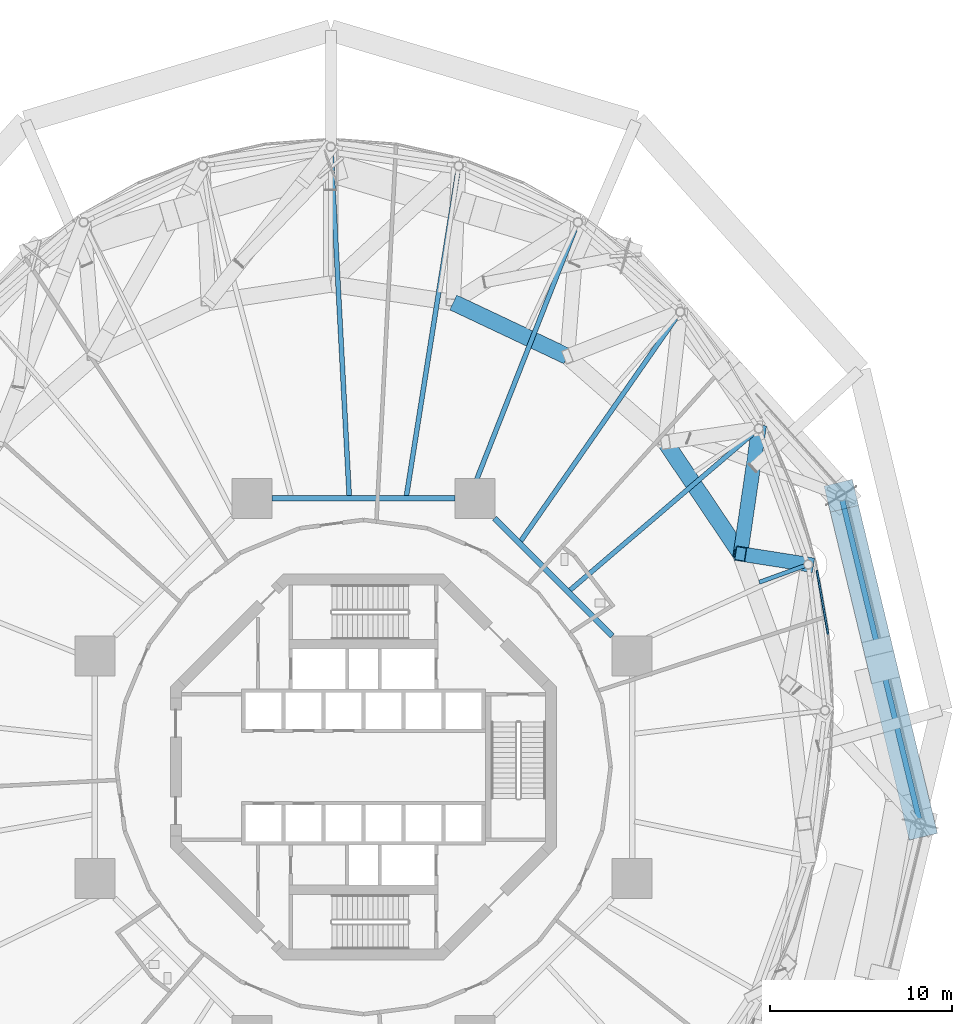
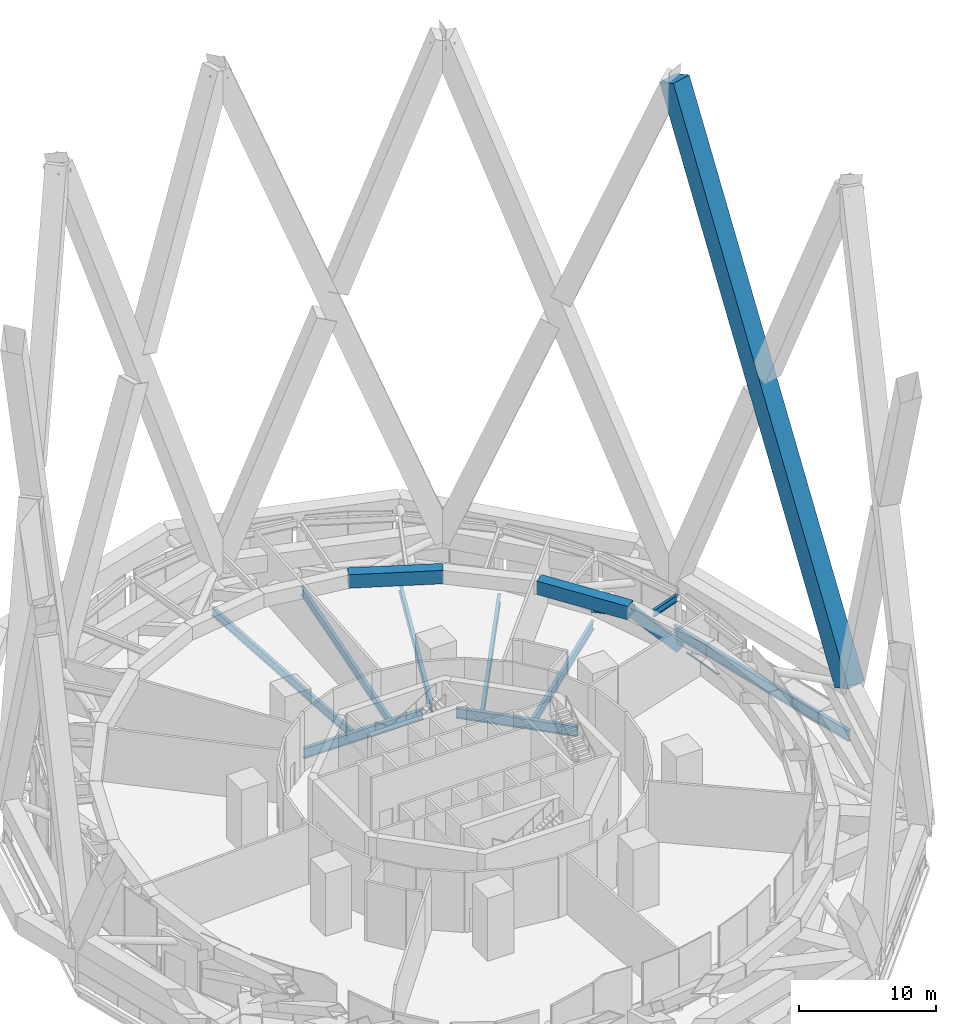
# One storey, part 31 of 65: 13 beams, 2 members, 1 element without a shape of its own.
"""IFC4 building model written with IfcOpenShell, lengths in metres."""

from ifc_helpers import new_model, si_unit, direction, frame, origin, origin_2d, place, context, subcontext, project, spatial, rectangle, hollow_rectangle, i_section, extrude, material, layer, layer_set, material_profile, profile_set, type_object, element, aggregate, save


model = new_model("IFC4")

# Units and contexts
model_context = context("Model", 3, precision=1e-05, world=origin(), true_north=direction((0.0, 1.0)))
body_context = subcontext(model_context, "Body", "Model", "MODEL_VIEW")
ifc_project = project(units=[si_unit("LENGTHUNIT", "METRE"), si_unit("AREAUNIT", "SQUARE_METRE"), si_unit("VOLUMEUNIT", "CUBIC_METRE"), si_unit("PLANEANGLEUNIT", "RADIAN"), si_unit("MASSUNIT", "GRAM", prefix="KILO")], contexts=[model_context])

# Site, building, storey
site_placement = place(None, origin())
site = spatial("IfcSite", under=ifc_project, at=site_placement, CompositionType="ELEMENT")
building_placement = place(site_placement, origin())
building = spatial("IfcBuilding", under=site, at=building_placement, Name="Nagisa Residences", CompositionType="ELEMENT")
storey_placement = place(building_placement, frame((0.0, 0.0, 114.0)))
storey = spatial("IfcBuildingStorey", under=building, at=storey_placement, Name="L28", CompositionType="ELEMENT", Elevation=114.0)

# Beams
ifc_material_1 = material(Name="Steel ASTM A572 Gr 50", Category="steel")
ifc_material_profile_1 = material_profile(ifc_material_1, hollow_rectangle(XDim=0.89990234375, YDim=1.199951171875, WallThickness=0.050048828125, at=origin_2d()), Name="BX 900x1200x50")
ifc_profile_set_1 = profile_set([ifc_material_profile_1], Name="Steel ASTM A572 Gr 50")
beam_type_1 = type_object("IfcBeamType", Name="Belt chord 2 BX 900x1200x50", PredefinedType="BEAM", material=ifc_profile_set_1)
beam_1_placement = place(storey_placement, frame((20.7470703125, 11.729736328125, 4.739990234375), z_axis=(-0.558184113249, 0.829717117888, 0.0), x_axis=(-0.829717117888, -0.558184113249, 0.0)))
element("IfcBeam", 1, at=beam_1_placement, inside=storey, type_object=beam_type_1, Name="beam:L28:bt2t03", PredefinedType="BEAM", context=body_context, shape_type="SweptSolid", body=[
    extrude(hollow_rectangle(XDim=0.89990234375, YDim=1.199951171875, WallThickness=0.050048828125, at=origin_2d()), origin(), (0.0, 0.0, 1.0), 7.412353515625),
])
beam_2_placement = place(storey_placement, frame((11.217529296875, 22.598876953125, 4.739990234375), z_axis=(-0.904174731044, 0.427162797703, 0.0), x_axis=(-0.427162797703, -0.904174731044, 0.0)))
element("IfcBeam", 2, at=beam_2_placement, inside=storey, type_object=beam_type_1, Name="beam:L28:bt2t05", PredefinedType="BEAM", context=body_context, shape_type="SweptSolid", body=[
    extrude(hollow_rectangle(XDim=0.89990234375, YDim=1.199951171875, WallThickness=0.050048828125, at=origin_2d()), origin(), (0.0, 0.0, 1.0), 6.94482421875),
])
ifc_material_2 = material(Name="Steel ASTM A572 Gr 50", Category="steel")
ifc_material_profile_2 = material_profile(ifc_material_2, hollow_rectangle(XDim=0.800048828125, YDim=0.800048828125, WallThickness=0.044921875, at=origin_2d()), Name="BX 800x800x45")
ifc_profile_set_2 = profile_set([ifc_material_profile_2], Name="Steel ASTM A572 Gr 50")
beam_type_2 = type_object("IfcBeamType", Name="Belt diagonal 2 BX 800x800x45", PredefinedType="BEAM", material=ifc_profile_set_2)
beam_3_placement = place(storey_placement, frame((24.46826171875, 11.14501953125, 0.60009765625), z_axis=(-0.664839136747, 0.104467243965, 0.739645534826), x_axis=(-0.15522699095, -0.98787882925, 0.0)))
element("IfcBeam", 3, at=beam_3_placement, inside=storey, type_object=beam_type_2, Name="beam:L28:bt2db02", PredefinedType="BEAM", context=body_context, shape_type="SweptSolid", body=[
    extrude(hollow_rectangle(XDim=0.800048828125, YDim=0.800048828125, WallThickness=0.044921875, at=origin_2d()), origin(), (0.0, 0.0, 1.0), 5.59716796875),
])
beam_4_placement = place(storey_placement, frame((21.75146484375, 18.625244140625, 0.60009765625), z_axis=(-0.1239185643, -0.850742812367, 0.510764972005), x_axis=(0.989557564868, -0.144138217741, 0.0)))
element("IfcBeam", 4, at=beam_4_placement, inside=storey, type_object=beam_type_2, Name="beam:L28:bt2da03", PredefinedType="BEAM", context=body_context, shape_type="SweptSolid", body=[
    extrude(hollow_rectangle(XDim=0.800048828125, YDim=0.800048828125, WallThickness=0.044921875, at=origin_2d()), origin(), (0.0, 0.0, 1.0), 8.105224609375),
])

# Curtain wall, member
ifc_material_3 = material(Name="Aluminium curtain wall system", Category="aluminium")
ifc_layer = layer(ifc_material_3, 0.159912109375)
ifc_layer_set = layer_set([ifc_layer], Name="CW5 CURTAIN WALL")
curtain_wall_type = type_object("IfcCurtainWallType", Name="CW5 CURTAIN WALL", PredefinedType="NOTDEFINED", material=ifc_layer_set)
curtain_wall_placement = place(storey_placement, origin())
curtain_wall = element("IfcCurtainWall", 5, at=curtain_wall_placement, inside=storey, type_object=curtain_wall_type, Name="cw:CW5:L28:01", PredefinedType="NOTDEFINED")
ifc_material_4 = material(Name="Aluminium", Category="aluminium")
ifc_material_profile_3 = material_profile(ifc_material_4, rectangle(XDim=0.10009765625, YDim=0.1201171875, at=origin_2d()), Name="CW5 TRANSOM 100x120")
ifc_profile_set_3 = profile_set([ifc_material_profile_3], Name="Aluminium")
member_type_1 = type_object("IfcMemberType", Name="CW5 TRANSOM 100x120", PredefinedType="USERDEFINED", material=ifc_profile_set_3)
member_1_placement = place(storey_placement, frame((25.579345703125, 7.217529296875, 0.06005859375), z_axis=(-0.172226379644, 0.985057396376, 0.0), x_axis=(-0.985057396376, -0.172226379644, 0.0)))
member_1 = element("IfcMember", 6, at=member_1_placement, type_object=member_type_1, Name="CW5 transom", ObjectType="TRANSOM", PredefinedType="USERDEFINED", context=body_context, shape_type="SweptSolid", body=[
    extrude(rectangle(XDim=0.10009765625, YDim=0.1201171875, at=origin_2d()), origin(), (0.0, 0.0, 1.0), 3.654541015625),
])
aggregate(curtain_wall, [member_1])

# Member
ifc_material_5 = material(Name="Concrete C80", Category="concrete")
ifc_material_profile_4 = material_profile(ifc_material_5, rectangle(XDim=1.60009765625, YDim=1.60009765625, at=origin_2d()), Name="C80 1600x1600")
ifc_profile_set_4 = profile_set([ifc_material_profile_4], Name="Concrete C80")
member_type_2 = type_object("IfcMemberType", Name="Cage diagonal 3 C80 1600x1600", PredefinedType="BRACE", material=ifc_profile_set_4)
member_2_placement = place(storey_placement, frame((30.635009765625, -3.11767578125, 3.699951171875), z_axis=(-0.090123715752, 0.3742977311, 0.922918698669), x_axis=(-0.972214769052, -0.234090672254, 0.0)))
element("IfcMember", 7, at=member_2_placement, inside=storey, type_object=member_type_2, Name="mem:L28:cg3d001", PredefinedType="BRACE", context=body_context, shape_type="SweptSolid", body=[
    extrude(rectangle(XDim=1.60009765625, YDim=1.60009765625, at=origin_2d()), origin(), (0.0, 0.0, 1.0), 48.216552734375),
])

# Beams
ifc_material_6 = material(Name="Steel ASTM A572 Gr 50", Category="steel")
ifc_material_profile_5 = material_profile(ifc_material_6, i_section(OverallWidth=0.300048828125, OverallDepth=0.97998046875, WebThickness=0.0166015625, FlangeThickness=0.02587890625, at=origin_2d()), Name="W1000x249")
ifc_profile_set_5 = profile_set([ifc_material_profile_5], Name="Steel ASTM A572 Gr 50")
beam_type_3 = type_object("IfcBeamType", Name="Deck edge beam W1000x249", PredefinedType="BEAM", material=ifc_profile_set_5)
beam_5_placement = place(storey_placement, frame((30.635009765625, -3.11767578125, -0.889892578125), z_axis=(-0.234090672254, 0.972214769052, 0.0), x_axis=(-0.972214769052, -0.234090672254, 0.0)))
element("IfcBeam", 8, at=beam_5_placement, inside=storey, type_object=beam_type_3, Name="beam:L28:deckedge01", PredefinedType="BEAM", context=body_context, shape_type="SweptSolid", body=[
    extrude(i_section(OverallWidth=0.300048828125, OverallDepth=0.97998046875, WebThickness=0.0166015625, FlangeThickness=0.02587890625, at=origin_2d()), origin(), (0.0, 0.0, 1.0), 18.563232421875),
])
ifc_material_7 = material(Name="Steel ASTM A572 Gr 50", Category="steel")
ifc_material_profile_6 = material_profile(ifc_material_7, i_section(OverallWidth=0.22802734375, OverallDepth=0.60302734375, WebThickness=0.010498046875, FlangeThickness=0.014892578125, at=origin_2d()), Name="W610x101")
ifc_profile_set_6 = profile_set([ifc_material_profile_6], Name="Steel ASTM A572 Gr 50")
beam_type_4 = type_object("IfcBeamType", Name="Garden radial beam W610x101", PredefinedType="BEAM", material=ifc_profile_set_6)
beam_6_placement = place(storey_placement, frame((24.248291015625, 11.065185546875, 5.03857421875), z_axis=(-0.939931361426, -0.341363495132, 0.0), x_axis=(0.341363495132, -0.939931361426, 0.0)))
element("IfcBeam", 9, at=beam_6_placement, inside=storey, type_object=beam_type_4, Name="beam:L28:bt2gr02", PredefinedType="BEAM", context=body_context, shape_type="SweptSolid", body=[
    extrude(i_section(OverallWidth=0.22802734375, OverallDepth=0.60302734375, WebThickness=0.010498046875, FlangeThickness=0.014892578125, at=origin_2d()), origin(), (0.0, 0.0, 1.0), 2.634033203125),
])
ifc_material_8 = material(Name="Steel ASTM A572 Gr 50", Category="steel")
ifc_material_profile_7 = material_profile(ifc_material_8, i_section(OverallWidth=0.303955078125, OverallDepth=0.903076171875, WebThickness=0.01513671875, FlangeThickness=0.02001953125, at=origin_2d()), Name="W920x201")
ifc_profile_set_7 = profile_set([ifc_material_profile_7], Name="Steel ASTM A572 Gr 50")
beam_type_5 = type_object("IfcBeamType", Name="Inner ring beam W920x201", PredefinedType="BEAM", material=ifc_profile_set_7)
beam_7_placement = place(storey_placement, frame((13.6962890625, 7.208740234375, -0.801513671875), z_axis=(-0.707106781187, 0.707106781187, 0.0), x_axis=(-0.707106781187, -0.707106781187, 0.0)))
element("IfcBeam", 10, at=beam_7_placement, inside=storey, type_object=beam_type_5, Name="beam:L28:ib1", PredefinedType="BEAM", context=body_context, shape_type="SweptSolid", body=[
    extrude(i_section(OverallWidth=0.303955078125, OverallDepth=0.903076171875, WebThickness=0.01513671875, FlangeThickness=0.02001953125, at=origin_2d()), origin(), (0.0, 0.0, 1.0), 9.1748046875),
])
beam_8_placement = place(storey_placement, frame((5.04296875, 14.781982421875, -0.801513671875), z_axis=(-1.0, 0.0, 0.0), x_axis=(0.0, -1.0, 0.0)))
element("IfcBeam", 11, at=beam_8_placement, inside=storey, type_object=beam_type_5, Name="beam:L28:ib2", PredefinedType="BEAM", context=body_context, shape_type="SweptSolid", body=[
    extrude(i_section(OverallWidth=0.303955078125, OverallDepth=0.903076171875, WebThickness=0.01513671875, FlangeThickness=0.02001953125, at=origin_2d()), origin(), (0.0, 0.0, 1.0), 10.0859375),
])
ifc_material_9 = material(Name="Steel ASTM A572 Gr 50", Category="steel")
ifc_material_profile_8 = material_profile(ifc_material_9, i_section(OverallWidth=0.264892578125, OverallDepth=0.7529296875, WebThickness=0.01318359375, FlangeThickness=0.01708984375, at=origin_2d()), Name="W760x147")
ifc_profile_set_8 = profile_set([ifc_material_profile_8], Name="Steel ASTM A572 Gr 50")
beam_type_6 = type_object("IfcBeamType", Name="Radial beam W760x147", PredefinedType="BEAM", material=ifc_profile_set_8)
beam_9_placement = place(storey_placement, frame((21.4150390625, 18.3369140625, -0.7265625), z_axis=(-0.759583356148, -0.650409966915, 0.0), x_axis=(0.650409966915, -0.759583356148, 0.0)))
element("IfcBeam", 12, at=beam_9_placement, inside=storey, type_object=beam_type_6, Name="beam:L28:rb03", PredefinedType="BEAM", context=body_context, shape_type="SweptSolid", body=[
    extrude(i_section(OverallWidth=0.264892578125, OverallDepth=0.7529296875, WebThickness=0.01318359375, FlangeThickness=0.01708984375, at=origin_2d()), origin(), (0.0, 0.0, 1.0), 13.234130859375),
])
beam_10_placement = place(storey_placement, frame((17.176513671875, 24.6845703125, -0.7265625), z_axis=(-0.571167080827, -0.820833823486, 0.0), x_axis=(0.820833823486, -0.571167080827, 0.0)))
element("IfcBeam", 13, at=beam_10_placement, inside=storey, type_object=beam_type_6, Name="beam:L28:rb04", PredefinedType="BEAM", context=body_context, shape_type="SweptSolid", body=[
    extrude(i_section(OverallWidth=0.264892578125, OverallDepth=0.7529296875, WebThickness=0.01318359375, FlangeThickness=0.01708984375, at=origin_2d()), origin(), (0.0, 0.0, 1.0), 14.920166015625),
])
beam_11_placement = place(storey_placement, frame((11.636474609375, 29.568359375, -0.7265625), z_axis=(-0.366209705021, -0.930532348685, 0.0), x_axis=(0.930532348685, -0.366209705021, 0.0)))
element("IfcBeam", 14, at=beam_11_placement, inside=storey, type_object=beam_type_6, Name="beam:L28:rb05", PredefinedType="BEAM", context=body_context, shape_type="SweptSolid", body=[
    extrude(i_section(OverallWidth=0.264892578125, OverallDepth=0.7529296875, WebThickness=0.01318359375, FlangeThickness=0.01708984375, at=origin_2d()), origin(), (0.0, 0.0, 1.0), 15.746826171875),
])
beam_12_placement = place(storey_placement, frame((5.170654296875, 32.64697265625, -0.7265625), z_axis=(-0.156435300053, -0.987688208342, 0.0), x_axis=(0.987688208342, -0.156435300053, 0.0)))
element("IfcBeam", 15, at=beam_12_placement, inside=storey, type_object=beam_type_6, Name="beam:L28:rb06", PredefinedType="BEAM", context=body_context, shape_type="SweptSolid", body=[
    extrude(i_section(OverallWidth=0.264892578125, OverallDepth=0.7529296875, WebThickness=0.01318359375, FlangeThickness=0.01708984375, at=origin_2d()), origin(), (0.0, 0.0, 1.0), 17.95361328125),
])
beam_13_placement = place(storey_placement, frame((-1.77734375, 33.70263671875, -0.7265625), z_axis=(0.052656906176, -0.998612662764, 0.0), x_axis=(0.998612662764, 0.052656906176, 0.0)))
element("IfcBeam", 16, at=beam_13_placement, inside=storey, type_object=beam_type_6, Name="beam:L28:rb07", PredefinedType="BEAM", context=body_context, shape_type="SweptSolid", body=[
    extrude(i_section(OverallWidth=0.264892578125, OverallDepth=0.7529296875, WebThickness=0.01318359375, FlangeThickness=0.01708984375, at=origin_2d()), origin(), (0.0, 0.0, 1.0), 18.814697265625),
])

save(model, "model.ifc")
